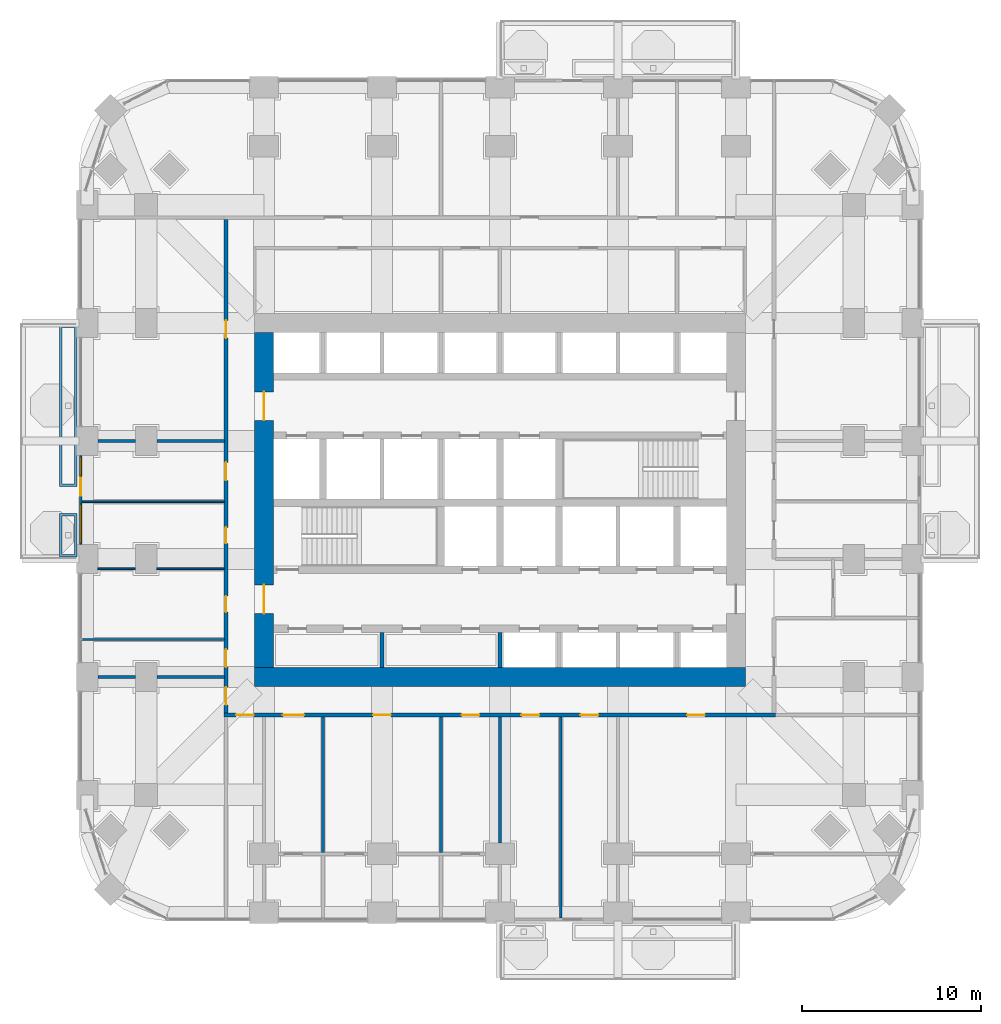
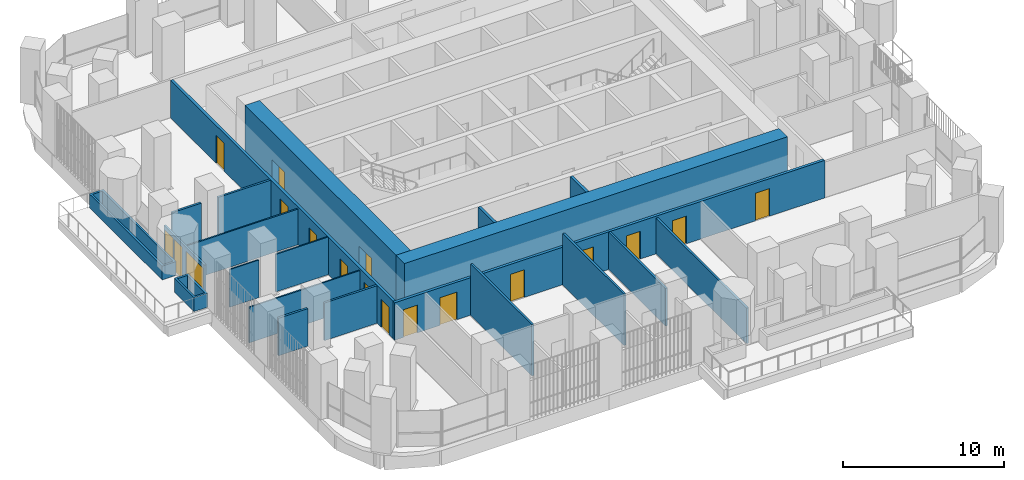
# One storey, part 14 of 22: 21 walls, 16 doors, 2 windows, 18 openings.
"""IFC4 building model written with IfcOpenShell, lengths in metres."""

from ifc_helpers import new_model, si_unit, direction, frame, frame_2d, origin, place, context, subcontext, project, spatial, polyline, rectangle, outline, extrude, material, layer, layer_set, type_object, element, fill, save


model = new_model("IFC4")

# Units and contexts
model_context = context("Model", 3, precision=1e-05, world=origin(), true_north=direction((0.0, 1.0)))
body_context = subcontext(model_context, "Body", "Model", "MODEL_VIEW")
ifc_project = project(units=[si_unit("LENGTHUNIT", "METRE"), si_unit("AREAUNIT", "SQUARE_METRE"), si_unit("VOLUMEUNIT", "CUBIC_METRE"), si_unit("PLANEANGLEUNIT", "RADIAN"), si_unit("MASSUNIT", "GRAM", prefix="KILO")], contexts=[model_context])

# Site, building, storey
site_placement = place(None, origin())
site = spatial("IfcSite", under=ifc_project, at=site_placement, CompositionType="ELEMENT")
building_placement = place(site_placement, origin())
building = spatial("IfcBuilding", under=site, at=building_placement, Name="Cobogo Forest Laboratory Tower", CompositionType="ELEMENT")
storey_placement = place(building_placement, frame((0.0, 0.0, 94.800048828125)))
storey = spatial("IfcBuildingStorey", under=building, at=storey_placement, Name="L21", CompositionType="ELEMENT", Elevation=94.800048828125)

# Wall
ifc_material_1 = material(Name="Concrete HA-50 (C50/60)", Category="concrete")
ifc_layer_1 = layer(ifc_material_1, 1.050048828125)
ifc_layer_set_1 = layer_set([ifc_layer_1], Name="CW1050 core outer wall 1050")
wall_type_1 = type_object("IfcWallType", Name="CW1050 core outer wall 1050", PredefinedType="SHEAR", material=ifc_layer_set_1)
wall_1_placement = place(storey_placement, frame((12.675048828125, 13.199951171875, 0.0), z_axis=(0.0, 0.0, 1.0), x_axis=(1.0, 0.0, 0.0)))
element("IfcWall", 1, at=wall_1_placement, inside=storey, type_object=wall_type_1, Name="Core wall CO-S L21", PredefinedType="SHEAR", context=body_context, shape_type="SweptSolid", body=[
    extrude(rectangle(XDim=27.449951171875, YDim=1.050048828125, at=frame_2d((13.72509765625, 0.0))), origin(), (0.0, 0.0, 1.0), 4.199951171875),
])

# Wall, openings, doors
wall_2_placement = place(storey_placement, frame((13.199951171875, 32.47509765625, 0.0), z_axis=(0.0, 0.0, 1.0), x_axis=(0.0, -1.0, 0.0)))
wall_2 = element("IfcWall", 2, at=wall_2_placement, inside=storey, type_object=wall_type_1, Name="Core wall CO-W L21", PredefinedType="SHEAR", context=body_context, shape_type="SweptSolid", body=[
    extrude(rectangle(XDim=18.75, YDim=1.050048828125, at=frame_2d((9.375, 0.0))), origin(), (0.0, 0.0, 1.0), 4.199951171875),
])
opening_1_placement = place(wall_2_placement, frame((14.125, 0.0, 0.0)))
opening_1 = element("IfcOpeningElement", 3, at=opening_1_placement, cuts=wall_2, Name="Opening L21-D21", PredefinedType="OPENING", context=body_context, shape_type="SweptSolid", body=[
    extrude(rectangle(XDim=1.60009765625, YDim=2.10009765625, at=frame_2d((0.800048828125, 1.050048828125))), frame((0.0, 0.534912109375, 0.0), z_axis=(0.0, -1.0, 0.0), x_axis=(1.0, 0.0, 0.0)), (0.0, 0.0, 1.0), 1.070068359375),
])
opening_2_placement = place(wall_2_placement, frame((3.324951171875, 0.0, 0.0)))
opening_2 = element("IfcOpeningElement", 4, at=opening_2_placement, cuts=wall_2, Name="Opening L21-D34", PredefinedType="OPENING", context=body_context, shape_type="SweptSolid", body=[
    extrude(rectangle(XDim=1.60009765625, YDim=2.10009765625, at=frame_2d((0.800048828125, 1.050048828125))), frame((0.0, 0.534912109375, 0.0), z_axis=(0.0, -1.0, 0.0), x_axis=(1.0, 0.0, 0.0)), (0.0, 0.0, 1.0), 1.070068359375),
])
ifc_material_2 = material(Name="Steel fire door", Category="steel")
door_type_1 = type_object("IfcDoorType", Name="DS2 protected lobby door pair 1600 EI2 60", OperationType="DOUBLE_DOOR_DOUBLE_SWING", PredefinedType="DOOR", material=ifc_material_2)
door_1_placement = place(opening_1_placement, origin())
door_1 = element("IfcDoor", 5, at=door_1_placement, inside=storey, type_object=door_type_1, Name="Door L21-CO-W-S", OperationType="DOUBLE_DOOR_DOUBLE_SWING", OverallHeight=2.10009765625, OverallWidth=1.60009765625, PredefinedType="DOOR", context=body_context, shape_type="SweptSolid", body=[
    extrude(rectangle(XDim=1.60009765625, YDim=2.10009765625, at=frame_2d((0.800048828125, 1.050048828125))), frame((0.0, 0.02490234375, 0.0), z_axis=(0.0, -1.0, 0.0), x_axis=(1.0, 0.0, 0.0)), (0.0, 0.0, 1.0), 0.050048828125),
])
fill(opening_1, door_1)
door_2_placement = place(opening_2_placement, origin())
door_2 = element("IfcDoor", 6, at=door_2_placement, inside=storey, type_object=door_type_1, Name="Door L21-CO-W-N", OperationType="DOUBLE_DOOR_DOUBLE_SWING", OverallHeight=2.10009765625, OverallWidth=1.60009765625, PredefinedType="DOOR", context=body_context, shape_type="SweptSolid", body=[
    extrude(rectangle(XDim=1.60009765625, YDim=2.10009765625, at=frame_2d((0.800048828125, 1.050048828125))), frame((0.0, 0.02490234375, 0.0), z_axis=(0.0, -1.0, 0.0), x_axis=(1.0, 0.0, 0.0)), (0.0, 0.0, 1.0), 0.050048828125),
])
fill(opening_2, door_2)

# Wall, openings, door, windows
ifc_material_3 = material(Name="Aluminium framed glazed screen", Category="aluminium")
ifc_layer_2 = layer(ifc_material_3, 0.14990234375)
ifc_layer_set_2 = layer_set([ifc_layer_2], Name="GS1 glazed door screen 150")
wall_type_2 = type_object("IfcWallType", Name="GS1 glazed door screen 150", PredefinedType="SOLIDWALL", material=ifc_layer_set_2)
wall_3_placement = place(storey_placement, frame((2.949951171875, 25.60009765625, 0.0), z_axis=(0.0, 0.0, 1.0), x_axis=(0.0, -1.0, 0.0)))
wall_3 = element("IfcWall", 7, at=wall_3_placement, inside=storey, type_object=wall_type_2, Name="Door screen BAL-W1 L21", PredefinedType="SOLIDWALL", context=body_context, shape_type="SweptSolid", body=[
    extrude(rectangle(XDim=5.0, YDim=0.14990234375, at=frame_2d((2.5, 0.0))), origin(), (0.0, 0.0, 1.0), 2.699951171875),
])
opening_3_placement = place(wall_3_placement, frame((1.25, 0.0, 0.0)))
opening_3 = element("IfcOpeningElement", 8, at=opening_3_placement, cuts=wall_3, Name="Opening L21-D29", PredefinedType="OPENING", context=body_context, shape_type="SweptSolid", body=[
    extrude(rectangle(XDim=1.0, YDim=2.39990234375, at=frame_2d((0.5, 1.199951171875))), frame((0.0, 0.0849609375, 0.0), z_axis=(0.0, -1.0, 0.0), x_axis=(1.0, 0.0, 0.0)), (0.0, 0.0, 1.0), 0.169921875),
])
opening_4_placement = place(wall_3_placement, frame((0.10009765625, 0.0, 0.10009765625)))
opening_4 = element("IfcOpeningElement", 9, at=opening_4_placement, cuts=wall_3, Name="Opening L21-W05", PredefinedType="OPENING", context=body_context, shape_type="SweptSolid", body=[
    extrude(rectangle(XDim=1.050048828125, YDim=2.300048828125, at=frame_2d((0.52490234375, 1.14990234375))), frame((0.0, 0.0849609375, 0.0), z_axis=(0.0, -1.0, 0.0), x_axis=(1.0, 0.0, 0.0)), (0.0, 0.0, 1.0), 0.169921875),
])
opening_5_placement = place(wall_3_placement, frame((2.75, 0.0, 0.10009765625)))
opening_5 = element("IfcOpeningElement", 10, at=opening_5_placement, cuts=wall_3, Name="Opening L21-W03", PredefinedType="OPENING", context=body_context, shape_type="SweptSolid", body=[
    extrude(rectangle(XDim=2.14990234375, YDim=2.300048828125, at=frame_2d((1.074951171875, 1.14990234375))), frame((0.0, 0.0849609375, 0.0), z_axis=(0.0, -1.0, 0.0), x_axis=(1.0, 0.0, 0.0)), (0.0, 0.0, 1.0), 0.169921875),
])
ifc_material_4 = material(Name="Aluminium glazed door", Category="aluminium")
door_type_2 = type_object("IfcDoorType", Name="DB1 balcony door 1000 glazed", OperationType="SINGLE_SWING_LEFT", PredefinedType="DOOR", material=ifc_material_4)
door_3_placement = place(opening_3_placement, origin())
door_3 = element("IfcDoor", 11, at=door_3_placement, inside=storey, type_object=door_type_2, Name="Door L21-BAL-W1", OperationType="SINGLE_SWING_LEFT", OverallHeight=2.39990234375, OverallWidth=1.0, PredefinedType="DOOR", context=body_context, shape_type="SweptSolid", body=[
    extrude(rectangle(XDim=1.0, YDim=2.39990234375, at=frame_2d((0.5, 1.199951171875))), frame((0.0, 0.02490234375, 0.0), z_axis=(0.0, -1.0, 0.0), x_axis=(1.0, 0.0, 0.0)), (0.0, 0.0, 1.0), 0.050048828125),
])
fill(opening_3, door_3)
ifc_material_5 = material(Name="Aluminium framed glazing", Category="aluminium")
window_type_1 = type_object("IfcWindowType", Name="WG13 fixed glazed light 2150x2300", PartitioningType="SINGLE_PANEL", PredefinedType="WINDOW", material=ifc_material_5)
window_1_placement = place(opening_5_placement, origin())
window_1 = element("IfcWindow", 12, at=window_1_placement, inside=storey, type_object=window_type_1, Name="Window L21-BAL-W1-2", OverallHeight=2.300048828125, OverallWidth=2.14990234375, PartitioningType="SINGLE_PANEL", PredefinedType="WINDOW", context=body_context, shape_type="SweptSolid", body=[
    extrude(rectangle(XDim=2.14990234375, YDim=2.300048828125, at=frame_2d((1.074951171875, 1.14990234375))), frame((0.0, 0.030029296875, 0.0), z_axis=(0.0, -1.0, 0.0), x_axis=(1.0, 0.0, 0.0)), (0.0, 0.0, 1.0), 0.06005859375),
])
fill(opening_5, window_1)
window_type_2 = type_object("IfcWindowType", Name="WG14 fixed glazed light 1050x2300", PartitioningType="SINGLE_PANEL", PredefinedType="WINDOW", material=ifc_material_5)
window_2_placement = place(opening_4_placement, origin())
window_2 = element("IfcWindow", 13, at=window_2_placement, inside=storey, type_object=window_type_2, Name="Window L21-BAL-W1-1", OverallHeight=2.300048828125, OverallWidth=1.050048828125, PartitioningType="SINGLE_PANEL", PredefinedType="WINDOW", context=body_context, shape_type="SweptSolid", body=[
    extrude(rectangle(XDim=1.050048828125, YDim=2.300048828125, at=frame_2d((0.52490234375, 1.14990234375))), frame((0.0, 0.030029296875, 0.0), z_axis=(0.0, -1.0, 0.0), x_axis=(1.0, 0.0, 0.0)), (0.0, 0.0, 1.0), 0.06005859375),
])
fill(opening_4, window_2)

# Walls
ifc_material_6 = material(Name="Gypsum board on steel studs", Category="steel")
ifc_layer_3 = layer(ifc_material_6, 0.14990234375)
ifc_layer_set_3 = layer_set([ifc_layer_3], Name="PT1 laboratory partition 150")
wall_type_3 = type_object("IfcWallType", Name="PT1 laboratory partition 150", PredefinedType="PARTITIONING", material=ifc_layer_set_3)
wall_4_placement = place(storey_placement, frame((29.800048828125, -0.27001953125, 0.0), z_axis=(0.0, 0.0, 1.0), x_axis=(0.0, 1.0, 0.0)))
element("IfcWall", 14, at=wall_4_placement, inside=storey, type_object=wall_type_3, Name="Partition SVC-S1-1 L21", PredefinedType="PARTITIONING", context=body_context, shape_type="SweptSolid", body=[
    extrude(rectangle(XDim=11.2451171875, YDim=0.14990234375, at=frame_2d((5.62255859375, 0.0))), origin(), (0.0, 0.0, 1.0), 2.699951171875),
])
for number, where, z_axis, x_axis, name in (
    (15, (16.5, 3.375, 0.0), (0.0, 0.0, 1.0), (0.0, 1.0, 0.0), "Partition CUT-S16.5b-1 L21"),
    (16, (23.10009765625, 3.375, 0.0), (0.0, 0.0, 1.0), (0.0, 1.0, 0.0), "Partition CUT-S23.1b-1 L21"),
):
    element("IfcWall", number, at=place(storey_placement, frame(where, z_axis=z_axis, x_axis=x_axis)), inside=storey, type_object=wall_type_3, Name=name, PredefinedType="PARTITIONING", context=body_context, shape_type="SweptSolid", body=[
        extrude(rectangle(XDim=7.60009765625, YDim=0.14990234375, at=frame_2d((3.800048828125, 0.0))), origin(), (0.0, 0.0, 1.0), 3.89990234375),
    ])
wall_5_placement = place(storey_placement, frame((26.39990234375, 3.89990234375, 0.0), z_axis=(0.0, 0.0, 1.0), x_axis=(0.0, 1.0, 0.0)))
element("IfcWall", 17, at=wall_5_placement, inside=storey, type_object=wall_type_3, Name="Partition CUT-S26.4-2 L21", PredefinedType="PARTITIONING", context=body_context, shape_type="SweptSolid", body=[
    extrude(rectangle(XDim=7.0751953125, YDim=0.14990234375, at=frame_2d((3.53759765625, 0.0))), origin(), (0.0, 0.0, 1.0), 2.849853515625),
])
wall_6_placement = place(storey_placement, frame((3.89990234375, 13.199951171875, 0.0), z_axis=(0.0, 0.0, 1.0), x_axis=(1.0, 0.0, 0.0)))
element("IfcWall", 18, at=wall_6_placement, inside=storey, type_object=wall_type_3, Name="Partition CUT-W13.2-1 L21", PredefinedType="PARTITIONING", context=body_context, shape_type="SweptSolid", body=[
    extrude(rectangle(XDim=2.10009765625, YDim=0.14990234375, at=frame_2d((1.050048828125, 0.0))), origin(), (0.0, 0.0, 1.0), 2.849853515625),
])
wall_7_placement = place(storey_placement, frame((7.199951171875, 13.199951171875, 0.0), z_axis=(0.0, 0.0, 1.0), x_axis=(1.0, 0.0, 0.0)))
element("IfcWall", 19, at=wall_7_placement, inside=storey, type_object=wall_type_3, Name="Partition CUT-W13.2-2 L21", PredefinedType="PARTITIONING", context=body_context, shape_type="SweptSolid", body=[
    extrude(rectangle(XDim=3.775146484375, YDim=0.14990234375, at=frame_2d((1.8876953125, 0.0))), origin(), (0.0, 0.0, 1.0), 2.849853515625),
])
wall_8_placement = place(storey_placement, frame((3.89990234375, 26.39990234375, 0.0), z_axis=(0.0, 0.0, 1.0), x_axis=(1.0, 0.0, 0.0)))
element("IfcWall", 20, at=wall_8_placement, inside=storey, type_object=wall_type_3, Name="Partition CUT-W26.4-1 L21", PredefinedType="PARTITIONING", context=body_context, shape_type="SweptSolid", body=[
    extrude(rectangle(XDim=2.10009765625, YDim=0.14990234375, at=frame_2d((1.050048828125, 0.0))), origin(), (0.0, 0.0, 1.0), 2.849853515625),
])
wall_9_placement = place(storey_placement, frame((7.199951171875, 26.39990234375, 0.0), z_axis=(0.0, 0.0, 1.0), x_axis=(1.0, 0.0, 0.0)))
element("IfcWall", 21, at=wall_9_placement, inside=storey, type_object=wall_type_3, Name="Partition CUT-W26.4-2 L21", PredefinedType="PARTITIONING", context=body_context, shape_type="SweptSolid", body=[
    extrude(rectangle(XDim=3.775146484375, YDim=0.14990234375, at=frame_2d((1.8876953125, 0.0))), origin(), (0.0, 0.0, 1.0), 2.849853515625),
])

# Wall, openings, doors
ifc_layer_4 = layer(ifc_material_6, 0.199951171875)
ifc_layer_set_4 = layer_set([ifc_layer_4], Name="PT2 fire-rated corridor partition 200")
wall_type_4 = type_object("IfcWallType", Name="PT2 fire-rated corridor partition 200", PredefinedType="PARTITIONING", material=ifc_layer_set_4)
wall_10_placement = place(storey_placement, frame((10.97509765625, 11.074951171875, 0.0), z_axis=(0.0, 0.0, 1.0), x_axis=(1.0, 0.0, 0.0)))
wall_10 = element("IfcWall", 22, at=wall_10_placement, inside=storey, type_object=wall_type_4, Name="Partition CORR-S L21", PredefinedType="PARTITIONING", context=body_context, shape_type="SweptSolid", body=[
    extrude(rectangle(XDim=30.849853515625, YDim=0.199951171875, at=frame_2d((15.4248046875, 0.0))), origin(), (0.0, 0.0, 1.0), 2.849853515625),
])
opening_6_placement = place(wall_10_placement, frame((0.66259765625, 0.0, 0.0)))
opening_6 = element("IfcOpeningElement", 23, at=opening_6_placement, cuts=wall_10, Name="Opening L21-D06", PredefinedType="OPENING", context=body_context, shape_type="SweptSolid", body=[
    extrude(rectangle(XDim=1.0, YDim=2.10009765625, at=frame_2d((0.5, 1.050048828125))), frame((0.0, 0.10986328125, 0.0), z_axis=(0.0, -1.0, 0.0), x_axis=(1.0, 0.0, 0.0)), (0.0, 0.0, 1.0), 0.219970703125),
])
opening_7_placement = place(wall_10_placement, frame((3.27490234375, 0.0, 0.0)))
opening_7 = element("IfcOpeningElement", 24, at=opening_7_placement, cuts=wall_10, Name="Opening L21-D07", PredefinedType="OPENING", context=body_context, shape_type="SweptSolid", body=[
    extrude(rectangle(XDim=1.199951171875, YDim=2.10009765625, at=frame_2d((0.60009765625, 1.050048828125))), frame((0.0, 0.10986328125, 0.0), z_axis=(0.0, -1.0, 0.0), x_axis=(1.0, 0.0, 0.0)), (0.0, 0.0, 1.0), 0.219970703125),
])
opening_8_placement = place(wall_10_placement, frame((8.324951171875, 0.0, 0.0)))
opening_8 = element("IfcOpeningElement", 25, at=opening_8_placement, cuts=wall_10, Name="Opening L21-D08", PredefinedType="OPENING", context=body_context, shape_type="SweptSolid", body=[
    extrude(rectangle(XDim=1.0, YDim=2.10009765625, at=frame_2d((0.5, 1.050048828125))), frame((0.0, 0.10986328125, 0.0), z_axis=(0.0, -1.0, 0.0), x_axis=(1.0, 0.0, 0.0)), (0.0, 0.0, 1.0), 0.219970703125),
])
opening_9_placement = place(wall_10_placement, frame((13.27490234375, 0.0, 0.0)))
opening_9 = element("IfcOpeningElement", 26, at=opening_9_placement, cuts=wall_10, Name="Opening L21-D09", PredefinedType="OPENING", context=body_context, shape_type="SweptSolid", body=[
    extrude(rectangle(XDim=1.0, YDim=2.10009765625, at=frame_2d((0.5, 1.050048828125))), frame((0.0, 0.10986328125, 0.0), z_axis=(0.0, -1.0, 0.0), x_axis=(1.0, 0.0, 0.0)), (0.0, 0.0, 1.0), 0.219970703125),
])
opening_10_placement = place(wall_10_placement, frame((16.625, 0.0, 0.0)))
opening_10 = element("IfcOpeningElement", 27, at=opening_10_placement, cuts=wall_10, Name="Opening L21-D10", PredefinedType="OPENING", context=body_context, shape_type="SweptSolid", body=[
    extrude(rectangle(XDim=1.0, YDim=2.10009765625, at=frame_2d((0.5, 1.050048828125))), frame((0.0, 0.10986328125, 0.0), z_axis=(0.0, -1.0, 0.0), x_axis=(1.0, 0.0, 0.0)), (0.0, 0.0, 1.0), 0.219970703125),
])
opening_11_placement = place(wall_10_placement, frame((19.925048828125, 0.0, 0.0)))
opening_11 = element("IfcOpeningElement", 28, at=opening_11_placement, cuts=wall_10, Name="Opening L21-D11", PredefinedType="OPENING", context=body_context, shape_type="SweptSolid", body=[
    extrude(rectangle(XDim=1.0, YDim=2.10009765625, at=frame_2d((0.5, 1.050048828125))), frame((0.0, 0.10986328125, 0.0), z_axis=(0.0, -1.0, 0.0), x_axis=(1.0, 0.0, 0.0)), (0.0, 0.0, 1.0), 0.219970703125),
])
opening_12_placement = place(wall_10_placement, frame((25.887451171875, 0.0, 0.0)))
opening_12 = element("IfcOpeningElement", 29, at=opening_12_placement, cuts=wall_10, Name="Opening L21-D12", PredefinedType="OPENING", context=body_context, shape_type="SweptSolid", body=[
    extrude(rectangle(XDim=1.0, YDim=2.10009765625, at=frame_2d((0.5, 1.050048828125))), frame((0.0, 0.10986328125, 0.0), z_axis=(0.0, -1.0, 0.0), x_axis=(1.0, 0.0, 0.0)), (0.0, 0.0, 1.0), 0.219970703125),
])
ifc_material_7 = material(Name="Timber door", Category="wood")
door_type_3 = type_object("IfcDoorType", Name="D2 laboratory door 1200 unequal pair", OperationType="DOUBLE_DOOR_SINGLE_SWING", PredefinedType="DOOR", material=ifc_material_7)
door_4_placement = place(opening_7_placement, origin())
door_4 = element("IfcDoor", 30, at=door_4_placement, inside=storey, type_object=door_type_3, Name="Door L21-S2", OperationType="DOUBLE_DOOR_SINGLE_SWING", OverallHeight=2.10009765625, OverallWidth=1.199951171875, PredefinedType="DOOR", context=body_context, shape_type="SweptSolid", body=[
    extrude(rectangle(XDim=1.199951171875, YDim=2.10009765625, at=frame_2d((0.60009765625, 1.050048828125))), frame((0.0, 0.02490234375, 0.0), z_axis=(0.0, -1.0, 0.0), x_axis=(1.0, 0.0, 0.0)), (0.0, 0.0, 1.0), 0.050048828125),
])
fill(opening_7, door_4)
ifc_material_8 = material(Name="Timber fire door", Category="wood")
door_type_4 = type_object("IfcDoorType", Name="FD2 fire door 1000 EI2 30", OperationType="SINGLE_SWING_LEFT", PredefinedType="DOOR", material=ifc_material_8)
door_5_placement = place(opening_6_placement, origin())
door_5 = element("IfcDoor", 31, at=door_5_placement, inside=storey, type_object=door_type_4, Name="Door L21-S1", OperationType="SINGLE_SWING_LEFT", OverallHeight=2.10009765625, OverallWidth=1.0, PredefinedType="DOOR", context=body_context, shape_type="SweptSolid", body=[
    extrude(rectangle(XDim=1.0, YDim=2.10009765625, at=frame_2d((0.5, 1.050048828125))), frame((0.0, 0.02490234375, 0.0), z_axis=(0.0, -1.0, 0.0), x_axis=(1.0, 0.0, 0.0)), (0.0, 0.0, 1.0), 0.050048828125),
])
fill(opening_6, door_5)
door_6_placement = place(opening_8_placement, origin())
door_6 = element("IfcDoor", 32, at=door_6_placement, inside=storey, type_object=door_type_4, Name="Door L21-S3", OperationType="SINGLE_SWING_LEFT", OverallHeight=2.10009765625, OverallWidth=1.0, PredefinedType="DOOR", context=body_context, shape_type="SweptSolid", body=[
    extrude(rectangle(XDim=1.0, YDim=2.10009765625, at=frame_2d((0.5, 1.050048828125))), frame((0.0, 0.02490234375, 0.0), z_axis=(0.0, -1.0, 0.0), x_axis=(1.0, 0.0, 0.0)), (0.0, 0.0, 1.0), 0.050048828125),
])
fill(opening_8, door_6)
door_7_placement = place(opening_9_placement, origin())
door_7 = element("IfcDoor", 33, at=door_7_placement, inside=storey, type_object=door_type_4, Name="Door L21-S4", OperationType="SINGLE_SWING_LEFT", OverallHeight=2.10009765625, OverallWidth=1.0, PredefinedType="DOOR", context=body_context, shape_type="SweptSolid", body=[
    extrude(rectangle(XDim=1.0, YDim=2.10009765625, at=frame_2d((0.5, 1.050048828125))), frame((0.0, 0.02490234375, 0.0), z_axis=(0.0, -1.0, 0.0), x_axis=(1.0, 0.0, 0.0)), (0.0, 0.0, 1.0), 0.050048828125),
])
fill(opening_9, door_7)
door_8_placement = place(opening_10_placement, origin())
door_8 = element("IfcDoor", 34, at=door_8_placement, inside=storey, type_object=door_type_4, Name="Door L21-MTG", OperationType="SINGLE_SWING_RIGHT", OverallHeight=2.10009765625, OverallWidth=1.0, PredefinedType="DOOR", context=body_context, shape_type="SweptSolid", body=[
    extrude(rectangle(XDim=1.0, YDim=2.10009765625, at=frame_2d((0.5, 1.050048828125))), frame((0.0, 0.02490234375, 0.0), z_axis=(0.0, -1.0, 0.0), x_axis=(1.0, 0.0, 0.0)), (0.0, 0.0, 1.0), 0.050048828125),
])
fill(opening_10, door_8)
door_9_placement = place(opening_11_placement, origin())
door_9 = element("IfcDoor", 35, at=door_9_placement, inside=storey, type_object=door_type_4, Name="Door L21-PAN", OperationType="SINGLE_SWING_RIGHT", OverallHeight=2.10009765625, OverallWidth=1.0, PredefinedType="DOOR", context=body_context, shape_type="SweptSolid", body=[
    extrude(rectangle(XDim=1.0, YDim=2.10009765625, at=frame_2d((0.5, 1.050048828125))), frame((0.0, 0.02490234375, 0.0), z_axis=(0.0, -1.0, 0.0), x_axis=(1.0, 0.0, 0.0)), (0.0, 0.0, 1.0), 0.050048828125),
])
fill(opening_11, door_9)
door_10_placement = place(opening_12_placement, origin())
door_10 = element("IfcDoor", 36, at=door_10_placement, inside=storey, type_object=door_type_4, Name="Door L21-S5", OperationType="SINGLE_SWING_RIGHT", OverallHeight=2.10009765625, OverallWidth=1.0, PredefinedType="DOOR", context=body_context, shape_type="SweptSolid", body=[
    extrude(rectangle(XDim=1.0, YDim=2.10009765625, at=frame_2d((0.5, 1.050048828125))), frame((0.0, 0.02490234375, 0.0), z_axis=(0.0, -1.0, 0.0), x_axis=(1.0, 0.0, 0.0)), (0.0, 0.0, 1.0), 0.050048828125),
])
fill(opening_12, door_10)

wall_11_placement = place(storey_placement, frame((11.074951171875, 11.175048828125, 0.0), z_axis=(0.0, 0.0, 1.0), x_axis=(0.0, 1.0, 0.0)))
wall_11 = element("IfcWall", 37, at=wall_11_placement, inside=storey, type_object=wall_type_4, Name="Partition CORR-W L21", PredefinedType="PARTITIONING", context=body_context, shape_type="SweptSolid", body=[
    extrude(rectangle(XDim=27.625, YDim=0.199951171875, at=frame_2d((13.8125, 0.0))), origin(), (0.0, 0.0, 1.0), 2.849853515625),
])
opening_13_placement = place(wall_11_placement, frame((0.46240234375, 0.0, 0.0)))
opening_13 = element("IfcOpeningElement", 38, at=opening_13_placement, cuts=wall_11, Name="Opening L21-D13", PredefinedType="OPENING", context=body_context, shape_type="SweptSolid", body=[
    extrude(rectangle(XDim=1.0, YDim=2.10009765625, at=frame_2d((0.5, 1.050048828125))), frame((0.0, 0.10986328125, 0.0), z_axis=(0.0, -1.0, 0.0), x_axis=(1.0, 0.0, 0.0)), (0.0, 0.0, 1.0), 0.219970703125),
])
opening_14_placement = place(wall_11_placement, frame((2.574951171875, 0.0, 0.0)))
opening_14 = element("IfcOpeningElement", 39, at=opening_14_placement, cuts=wall_11, Name="Opening L21-D15", PredefinedType="OPENING", context=body_context, shape_type="SweptSolid", body=[
    extrude(rectangle(XDim=1.0, YDim=2.10009765625, at=frame_2d((0.5, 1.050048828125))), frame((0.0, 0.10986328125, 0.0), z_axis=(0.0, -1.0, 0.0), x_axis=(1.0, 0.0, 0.0)), (0.0, 0.0, 1.0), 0.219970703125),
])
opening_15_placement = place(wall_11_placement, frame((5.64990234375, 0.0, 0.0)))
opening_15 = element("IfcOpeningElement", 40, at=opening_15_placement, cuts=wall_11, Name="Opening L21-D20", PredefinedType="OPENING", context=body_context, shape_type="SweptSolid", body=[
    extrude(rectangle(XDim=0.89990234375, YDim=2.10009765625, at=frame_2d((0.449951171875, 1.050048828125))), frame((0.0, 0.10986328125, 0.0), z_axis=(0.0, -1.0, 0.0), x_axis=(1.0, 0.0, 0.0)), (0.0, 0.0, 1.0), 0.219970703125),
])
opening_16_placement = place(wall_11_placement, frame((9.5, 0.0, 0.0)))
opening_16 = element("IfcOpeningElement", 41, at=opening_16_placement, cuts=wall_11, Name="Opening L21-D27", PredefinedType="OPENING", context=body_context, shape_type="SweptSolid", body=[
    extrude(rectangle(XDim=0.89990234375, YDim=2.10009765625, at=frame_2d((0.449951171875, 1.050048828125))), frame((0.0, 0.10986328125, 0.0), z_axis=(0.0, -1.0, 0.0), x_axis=(1.0, 0.0, 0.0)), (0.0, 0.0, 1.0), 0.219970703125),
])
opening_17_placement = place(wall_11_placement, frame((13.02490234375, 0.0, 0.0)))
opening_17 = element("IfcOpeningElement", 42, at=opening_17_placement, cuts=wall_11, Name="Opening L21-D31", PredefinedType="OPENING", context=body_context, shape_type="SweptSolid", body=[
    extrude(rectangle(XDim=1.0, YDim=2.10009765625, at=frame_2d((0.5, 1.050048828125))), frame((0.0, 0.10986328125, 0.0), z_axis=(0.0, -1.0, 0.0), x_axis=(1.0, 0.0, 0.0)), (0.0, 0.0, 1.0), 0.219970703125),
])
opening_18_placement = place(wall_11_placement, frame((20.97509765625, 0.0, 0.0)))
opening_18 = element("IfcOpeningElement", 43, at=opening_18_placement, cuts=wall_11, Name="Opening L21-D36", PredefinedType="OPENING", context=body_context, shape_type="SweptSolid", body=[
    extrude(rectangle(XDim=1.0, YDim=2.10009765625, at=frame_2d((0.5, 1.050048828125))), frame((0.0, 0.10986328125, 0.0), z_axis=(0.0, -1.0, 0.0), x_axis=(1.0, 0.0, 0.0)), (0.0, 0.0, 1.0), 0.219970703125),
])
door_11_placement = place(opening_13_placement, origin())
door_11 = element("IfcDoor", 44, at=door_11_placement, inside=storey, type_object=door_type_4, Name="Door L21-W1", OperationType="SINGLE_SWING_LEFT", OverallHeight=2.10009765625, OverallWidth=1.0, PredefinedType="DOOR", context=body_context, shape_type="SweptSolid", body=[
    extrude(rectangle(XDim=1.0, YDim=2.10009765625, at=frame_2d((0.5, 1.050048828125))), frame((0.0, 0.02490234375, 0.0), z_axis=(0.0, -1.0, 0.0), x_axis=(1.0, 0.0, 0.0)), (0.0, 0.0, 1.0), 0.050048828125),
])
fill(opening_13, door_11)
door_12_placement = place(opening_17_placement, origin())
door_12 = element("IfcDoor", 45, at=door_12_placement, inside=storey, type_object=door_type_4, Name="Door L21-SHW", OperationType="SINGLE_SWING_LEFT", OverallHeight=2.10009765625, OverallWidth=1.0, PredefinedType="DOOR", context=body_context, shape_type="SweptSolid", body=[
    extrude(rectangle(XDim=1.0, YDim=2.10009765625, at=frame_2d((0.5, 1.050048828125))), frame((0.0, 0.02490234375, 0.0), z_axis=(0.0, -1.0, 0.0), x_axis=(1.0, 0.0, 0.0)), (0.0, 0.0, 1.0), 0.050048828125),
])
fill(opening_17, door_12)
door_13_placement = place(opening_18_placement, origin())
door_13 = element("IfcDoor", 46, at=door_13_placement, inside=storey, type_object=door_type_4, Name="Door L21-W3", OperationType="SINGLE_SWING_RIGHT", OverallHeight=2.10009765625, OverallWidth=1.0, PredefinedType="DOOR", context=body_context, shape_type="SweptSolid", body=[
    extrude(rectangle(XDim=1.0, YDim=2.10009765625, at=frame_2d((0.5, 1.050048828125))), frame((0.0, 0.02490234375, 0.0), z_axis=(0.0, -1.0, 0.0), x_axis=(1.0, 0.0, 0.0)), (0.0, 0.0, 1.0), 0.050048828125),
])
fill(opening_18, door_13)
door_type_5 = type_object("IfcDoorType", Name="FD3 toilet fire door 900 EI2 30", OperationType="SINGLE_SWING_LEFT", PredefinedType="DOOR", material=ifc_material_8)
door_14_placement = place(opening_15_placement, origin())
door_14 = element("IfcDoor", 47, at=door_14_placement, inside=storey, type_object=door_type_5, Name="Door L21-WCF", OperationType="SINGLE_SWING_LEFT", OverallHeight=2.10009765625, OverallWidth=0.89990234375, PredefinedType="DOOR", context=body_context, shape_type="SweptSolid", body=[
    extrude(rectangle(XDim=0.89990234375, YDim=2.10009765625, at=frame_2d((0.449951171875, 1.050048828125))), frame((0.0, 0.02490234375, 0.0), z_axis=(0.0, -1.0, 0.0), x_axis=(1.0, 0.0, 0.0)), (0.0, 0.0, 1.0), 0.050048828125),
])
fill(opening_15, door_14)
door_15_placement = place(opening_16_placement, origin())
door_15 = element("IfcDoor", 48, at=door_15_placement, inside=storey, type_object=door_type_5, Name="Door L21-WCM", OperationType="SINGLE_SWING_LEFT", OverallHeight=2.10009765625, OverallWidth=0.89990234375, PredefinedType="DOOR", context=body_context, shape_type="SweptSolid", body=[
    extrude(rectangle(XDim=0.89990234375, YDim=2.10009765625, at=frame_2d((0.449951171875, 1.050048828125))), frame((0.0, 0.02490234375, 0.0), z_axis=(0.0, -1.0, 0.0), x_axis=(1.0, 0.0, 0.0)), (0.0, 0.0, 1.0), 0.050048828125),
])
fill(opening_16, door_15)
door_type_6 = type_object("IfcDoorType", Name="FDA1 accessible toilet fire door 1000 EI2 30", OperationType="SINGLE_SWING_RIGHT", PredefinedType="DOOR", material=ifc_material_8)
door_16_placement = place(opening_14_placement, origin())
door_16 = element("IfcDoor", 49, at=door_16_placement, inside=storey, type_object=door_type_6, Name="Door L21-WCA", OperationType="SINGLE_SWING_LEFT", OverallHeight=2.10009765625, OverallWidth=1.0, PredefinedType="DOOR", context=body_context, shape_type="SweptSolid", body=[
    extrude(rectangle(XDim=1.0, YDim=2.10009765625, at=frame_2d((0.5, 1.050048828125))), frame((0.0, 0.02490234375, 0.0), z_axis=(0.0, -1.0, 0.0), x_axis=(1.0, 0.0, 0.0)), (0.0, 0.0, 1.0), 0.050048828125),
])
fill(opening_14, door_16)

# Walls
ifc_layer_5 = layer(ifc_material_6, 0.10009765625)
ifc_layer_set_5 = layer_set([ifc_layer_5], Name="PT3 toilet partition 100")
wall_type_5 = type_object("IfcWallType", Name="PT3 toilet partition 100", PredefinedType="PARTITIONING", material=ifc_layer_set_5)
wall_12_placement = place(storey_placement, frame((3.030029296875, 15.300048828125, 0.0), z_axis=(0.0, 0.0, 1.0), x_axis=(1.0, 0.0, 0.0)))
element("IfcWall", 50, at=wall_12_placement, inside=storey, type_object=wall_type_5, Name="Partition SVC-W1-1 L21", PredefinedType="PARTITIONING", context=body_context, shape_type="SweptSolid", body=[
    extrude(rectangle(XDim=7.945068359375, YDim=0.10009765625, at=frame_2d((3.97265625, 0.0))), origin(), (0.0, 0.0, 1.0), 2.699951171875),
])
wall_13_placement = place(storey_placement, frame((3.89990234375, 19.25, 0.0), z_axis=(0.0, 0.0, 1.0), x_axis=(1.0, 0.0, 0.0)))
element("IfcWall", 51, at=wall_13_placement, inside=storey, type_object=wall_type_5, Name="Partition SVC-W2-1 L21", PredefinedType="PARTITIONING", context=body_context, shape_type="SweptSolid", body=[
    extrude(rectangle(XDim=2.10009765625, YDim=0.10009765625, at=frame_2d((1.050048828125, 0.0))), origin(), (0.0, 0.0, 1.0), 2.849853515625),
])
wall_14_placement = place(storey_placement, frame((7.199951171875, 19.25, 0.0), z_axis=(0.0, 0.0, 1.0), x_axis=(1.0, 0.0, 0.0)))
element("IfcWall", 52, at=wall_14_placement, inside=storey, type_object=wall_type_5, Name="Partition SVC-W2-2 L21", PredefinedType="PARTITIONING", context=body_context, shape_type="SweptSolid", body=[
    extrude(rectangle(XDim=3.775146484375, YDim=0.10009765625, at=frame_2d((1.8876953125, 0.0))), origin(), (0.0, 0.0, 1.0), 2.849853515625),
])
wall_15_placement = place(storey_placement, frame((3.030029296875, 23.0, 0.0), z_axis=(0.0, 0.0, 1.0), x_axis=(1.0, 0.0, 0.0)))
element("IfcWall", 53, at=wall_15_placement, inside=storey, type_object=wall_type_5, Name="Partition SVC-W3-1 L21", PredefinedType="PARTITIONING", context=body_context, shape_type="SweptSolid", body=[
    extrude(rectangle(XDim=7.945068359375, YDim=0.10009765625, at=frame_2d((3.97265625, 0.0))), origin(), (0.0, 0.0, 1.0), 2.699951171875),
])
ifc_material_9 = material(Name="Concrete HA-40 (C40/50)", Category="concrete")
ifc_layer_6 = layer(ifc_material_9, 0.14990234375)
ifc_layer_set_6 = layer_set([ifc_layer_6], Name="Planter box 1000x1050")
wall_type_6 = type_object("IfcWallType", Name="Planter box 1000x1050", PredefinedType="USERDEFINED", material=ifc_layer_set_6)
wall_16_placement = place(storey_placement, origin())
element("IfcWall", 54, at=wall_16_placement, inside=storey, type_object=wall_type_6, Name="Planter BAL-W1-1 L21", ObjectType="PLANTER", PredefinedType="USERDEFINED", context=body_context, shape_type="SweptSolid", body=[
    extrude(outline(polyline([(1.75, 19.89990234375), (2.75, 19.89990234375), (2.75, 22.35009765625), (1.75, 22.35009765625), (1.75, 19.89990234375)]), holes=[polyline([(1.89990234375, 20.050048828125), (2.60009765625, 20.050048828125), (2.60009765625, 22.199951171875), (1.89990234375, 22.199951171875), (1.89990234375, 20.050048828125)])]), origin(), (0.0, 0.0, 1.0), 1.050048828125),
])
wall_17_placement = place(storey_placement, origin())
element("IfcWall", 55, at=wall_17_placement, inside=storey, type_object=wall_type_6, Name="Planter BAL-W1-2 L21", ObjectType="PLANTER", PredefinedType="USERDEFINED", context=body_context, shape_type="SweptSolid", body=[
    extrude(outline(polyline([(1.75, 23.85009765625), (2.75, 23.85009765625), (2.75, 32.89990234375), (1.75, 32.89990234375), (1.75, 23.85009765625)]), holes=[polyline([(1.89990234375, 24.0), (2.60009765625, 24.0), (2.60009765625, 32.75), (1.89990234375, 32.75), (1.89990234375, 24.0)])]), origin(), (0.0, 0.0, 1.0), 1.050048828125),
])
ifc_material_10 = material(Name="Concrete block", Category="concrete")
ifc_layer_7 = layer(ifc_material_10, 0.199951171875)
ifc_layer_set_7 = layer_set([ifc_layer_7], Name="SW200 lift shaft separator 200")
wall_type_7 = type_object("IfcWallType", Name="SW200 lift shaft separator 200", PredefinedType="PARTITIONING", material=ifc_layer_set_7)
for number, where, z_axis, x_axis, name in (
    (56, (19.800048828125, 13.72509765625, 0.0), (0.0, 0.0, 1.0), (0.0, 1.0, 0.0), "Core wall SEP-S2 L21"),
    (57, (26.39990234375, 13.72509765625, 0.0), (0.0, 0.0, 1.0), (0.0, 1.0, 0.0), "Core wall SEP-S4 L21"),
):
    element("IfcWall", number, at=place(storey_placement, frame(where, z_axis=z_axis, x_axis=x_axis)), inside=storey, type_object=wall_type_7, Name=name, PredefinedType="PARTITIONING", context=body_context, shape_type="SweptSolid", body=[
        extrude(rectangle(XDim=1.974853515625, YDim=0.199951171875, at=frame_2d((0.9873046875, 0.0))), origin(), (0.0, 0.0, 1.0), 4.199951171875),
    ])

save(model, "model.ifc")
